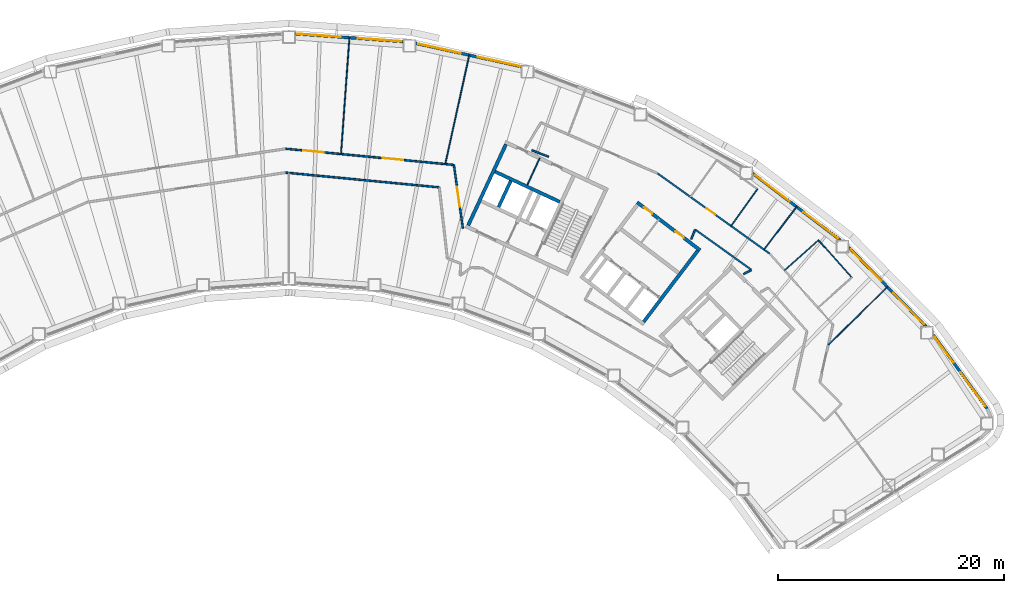
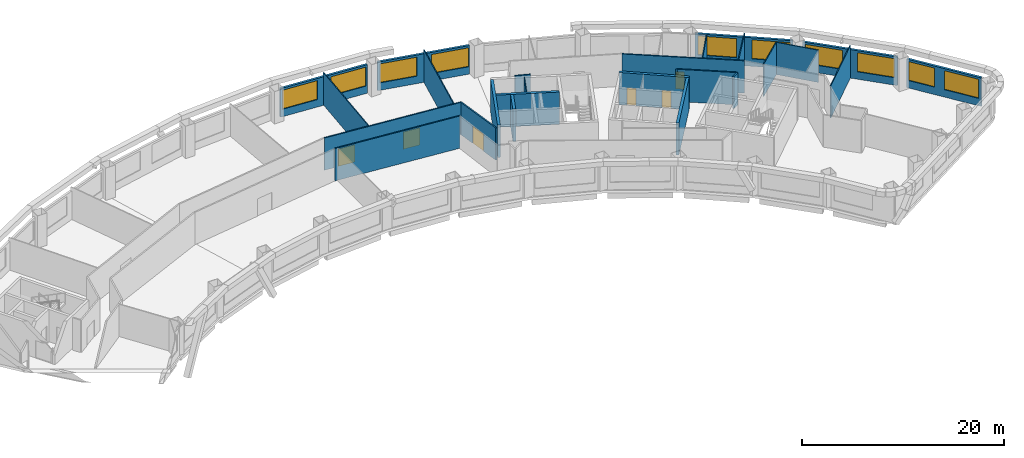
# One storey, part 7 of 13: 26 walls, 10 windows, 6 doors, 16 openings.
"""IFC4 building model written with IfcOpenShell, lengths in metres."""

from ifc_helpers import new_model, si_unit, direction, frame, frame_2d, origin, place, context, subcontext, project, spatial, rectangle, extrude, material, layer, layer_set, type_object, element, fill, save


model = new_model("IFC4")

# Units and contexts
model_context = context("Model", 3, precision=1e-05, world=origin(), true_north=direction((0.0, 1.0)))
body_context = subcontext(model_context, "Body", "Model", "MODEL_VIEW")
ifc_project = project(units=[si_unit("LENGTHUNIT", "METRE"), si_unit("AREAUNIT", "SQUARE_METRE"), si_unit("VOLUMEUNIT", "CUBIC_METRE"), si_unit("PLANEANGLEUNIT", "RADIAN"), si_unit("MASSUNIT", "GRAM", prefix="KILO")], contexts=[model_context])

# Site, building, storey
site_placement = place(None, origin())
site = spatial("IfcSite", under=ifc_project, at=site_placement, CompositionType="ELEMENT")
building_placement = place(site_placement, origin())
building = spatial("IfcBuilding", under=site, at=building_placement, Name="Tuul Gate Civic Tower", CompositionType="ELEMENT")
storey_placement = place(building_placement, frame((0.0, 0.0, 111.89990234375)))
storey = spatial("IfcBuildingStorey", under=building, at=storey_placement, Name="Level 25", CompositionType="ELEMENT", Elevation=111.89990234375)

# Walls
ifc_material_1 = material(Name="Concrete C50/60", Category="concrete")
ifc_layer_1 = layer(ifc_material_1, 0.300048828125)
ifc_layer_set_1 = layer_set([ifc_layer_1], Name="Concrete C50/60")
wall_type_1 = type_object("IfcWallType", Name="Core wall C50/60", PredefinedType="SHEAR", material=ifc_layer_set_1)
wall_1_placement = place(storey_placement, frame((33.75, -0.873779296875, 0.0), z_axis=(0.0, 0.0, 1.0), x_axis=(-0.906300917592, 0.422632992999, 0.0)))
element("IfcWall", 1, at=wall_1_placement, inside=storey, type_object=wall_type_1, Name="Core wall", PredefinedType="SHEAR", context=body_context, shape_type="SweptSolid", body=[
    extrude(rectangle(XDim=6.300048828125, YDim=0.300048828125, at=frame_2d((3.14990234375, 0.0))), origin(), (0.0, 0.0, 1.0), 3.900146484375),
])
wall_2_placement = place(storey_placement, frame((28.349365234375, -1.33447265625, 0.0), z_axis=(0.0, 0.0, 1.0), x_axis=(0.422612891016, 0.906310291427, 0.0)))
element("IfcWall", 2, at=wall_2_placement, inside=storey, type_object=wall_type_1, Name="Core wall", PredefinedType="SHEAR", context=body_context, shape_type="SweptSolid", body=[
    extrude(rectangle(XDim=2.550048828125, YDim=0.300048828125, at=frame_2d((1.27490234375, 0.0))), origin(), (0.0, 0.0, 1.0), 3.900146484375),
])
wall_3_placement = place(storey_placement, frame((25.66455078125, -2.951416015625, 0.0), z_axis=(0.0, 0.0, 1.0), x_axis=(0.422582604137, 0.906324413596, 0.0)))
element("IfcWall", 3, at=wall_3_placement, inside=storey, type_object=wall_type_1, Name="Core wall", PredefinedType="SHEAR", context=body_context, shape_type="SweptSolid", body=[
    extrude(rectangle(XDim=7.89990234375, YDim=0.300048828125, at=frame_2d((3.949951171875, 0.0))), origin(), (0.0, 0.0, 1.0), 3.900146484375),
])

# Wall, opening, door
ifc_material_2 = material(Name="Gypsum board partition")
ifc_layer_2 = layer(ifc_material_2, 0.14990234375)
ifc_layer_set_2 = layer_set([ifc_layer_2], Name="Gypsum board partition")
wall_type_2 = type_object("IfcWallType", Name="Corridor wall P150", PredefinedType="PARTITIONING", material=ifc_layer_set_2)
wall_4_placement = place(storey_placement, frame((42.385009765625, 1.646240234375, 0.0), z_axis=(0.0, 0.0, 1.0), x_axis=(0.813260638931, -0.581899590278, 0.0)))
wall_4 = element("IfcWall", 4, at=wall_4_placement, inside=storey, type_object=wall_type_2, Name="p010", PredefinedType="PARTITIONING", context=body_context, shape_type="SweptSolid", body=[
    extrude(rectangle(XDim=12.1826171875, YDim=0.14990234375, at=frame_2d((6.09130859375, 0.0))), origin(), (0.0, 0.0, 1.0), 3.900146484375),
])
opening_1_placement = place(wall_4_placement, frame((5.337646484375, 0.0, 0.0)))
opening_1 = element("IfcOpeningElement", 5, at=opening_1_placement, cuts=wall_4, Name="Opening H-D03", PredefinedType="OPENING", context=body_context, shape_type="SweptSolid", body=[
    extrude(rectangle(XDim=0.89990234375, YDim=2.10009765625, at=frame_2d((0.449951171875, 1.050048828125))), frame((0.0, 0.0849609375, 0.0), z_axis=(0.0, -1.0, 0.0), x_axis=(1.0, 0.0, 0.0)), (0.0, 0.0, 1.0), 0.169921875),
])
ifc_material_3 = material(Name="Timber door leaf", Category="wood")
door_type_1 = type_object("IfcDoorType", Name="Door D09", OperationType="NOTDEFINED", PredefinedType="DOOR", material=ifc_material_3)
door_1_placement = place(opening_1_placement, origin())
door_1 = element("IfcDoor", 6, at=door_1_placement, inside=storey, type_object=door_type_1, Name="Door H-D03", OperationType="SINGLE_SWING_RIGHT", OverallHeight=2.10009765625, OverallWidth=0.89990234375, PredefinedType="DOOR", context=body_context, shape_type="SweptSolid", body=[
    extrude(rectangle(XDim=0.89990234375, YDim=2.10009765625, at=frame_2d((0.449951171875, 1.050048828125))), frame((0.0, 0.02490234375, 0.0), z_axis=(0.0, -1.0, 0.0), x_axis=(1.0, 0.0, 0.0)), (0.0, 0.0, 1.0), 0.050048828125),
])
fill(opening_1, door_1)

# Wall
wall_5_placement = place(storey_placement, frame((31.287841796875, 3.683837890625, 0.0), z_axis=(0.0, 0.0, 1.0), x_axis=(0.933158919191, -0.359464089353, 0.0)))
element("IfcWall", 7, at=wall_5_placement, inside=storey, type_object=wall_type_2, Name="p017", PredefinedType="PARTITIONING", context=body_context, shape_type="SweptSolid", body=[
    extrude(rectangle(XDim=1.585205078125, YDim=0.14990234375, at=frame_2d((0.79248046875, 0.0))), origin(), (0.0, 0.0, 1.0), 3.900146484375),
])

# Wall, opening, door
wall_6_placement = place(storey_placement, frame((24.403564453125, 2.389404296875, 0.0), z_axis=(0.0, 0.0, 1.0), x_axis=(0.140745812343, -0.990045764754, 0.0)))
wall_6 = element("IfcWall", 8, at=wall_6_placement, inside=storey, type_object=wall_type_2, Name="p018", PredefinedType="PARTITIONING", context=body_context, shape_type="SweptSolid", body=[
    extrude(rectangle(XDim=5.6669921875, YDim=0.14990234375, at=frame_2d((2.83349609375, 0.0))), origin(), (0.0, 0.0, 1.0), 3.900146484375),
])
opening_2_placement = place(wall_6_placement, frame((1.93359375, 0.0, 0.0)))
opening_2 = element("IfcOpeningElement", 9, at=opening_2_placement, cuts=wall_6, Name="Opening H-D04", PredefinedType="OPENING", context=body_context, shape_type="SweptSolid", body=[
    extrude(rectangle(XDim=1.800048828125, YDim=2.10009765625, at=frame_2d((0.89990234375, 1.050048828125))), frame((0.0, 0.0849609375, 0.0), z_axis=(0.0, -1.0, 0.0), x_axis=(1.0, 0.0, 0.0)), (0.0, 0.0, 1.0), 0.169921875),
])
ifc_material_4 = material(Name="Timber door leaf, double", Category="wood")
door_type_2 = type_object("IfcDoorType", Name="Door D18", OperationType="DOUBLE_DOOR_SINGLE_SWING", PredefinedType="DOOR", material=ifc_material_4)
door_2_placement = place(opening_2_placement, origin())
door_2 = element("IfcDoor", 10, at=door_2_placement, inside=storey, type_object=door_type_2, Name="Door H-D04", OperationType="DOUBLE_DOOR_SINGLE_SWING", OverallHeight=2.10009765625, OverallWidth=1.800048828125, PredefinedType="DOOR", context=body_context, shape_type="SweptSolid", body=[
    extrude(rectangle(XDim=1.800048828125, YDim=2.10009765625, at=frame_2d((0.89990234375, 1.050048828125))), frame((0.0, 0.02490234375, 0.0), z_axis=(0.0, -1.0, 0.0), x_axis=(1.0, 0.0, 0.0)), (0.0, 0.0, 1.0), 0.050048828125),
])
fill(opening_2, door_2)

# Wall, openings, doors
wall_7_placement = place(storey_placement, frame((9.5673828125, 3.81640625, 0.0), z_axis=(0.0, 0.0, 1.0), x_axis=(0.995410259567, -0.095699608926, 0.0)))
wall_7 = element("IfcWall", 11, at=wall_7_placement, inside=storey, type_object=wall_type_2, Name="p019", PredefinedType="PARTITIONING", context=body_context, shape_type="SweptSolid", body=[
    extrude(rectangle(XDim=14.903564453125, YDim=0.14990234375, at=frame_2d((7.45166015625, 0.0))), origin(), (0.0, 0.0, 1.0), 3.900146484375),
])
opening_3_placement = place(wall_7_placement, frame((8.61328125, 0.0, 0.0)))
opening_3 = element("IfcOpeningElement", 12, at=opening_3_placement, cuts=wall_7, Name="Opening H-D05", PredefinedType="OPENING", context=body_context, shape_type="SweptSolid", body=[
    extrude(rectangle(XDim=1.800048828125, YDim=2.10009765625, at=frame_2d((0.89990234375, 1.050048828125))), frame((0.0, 0.0849609375, 0.0), z_axis=(0.0, -1.0, 0.0), x_axis=(1.0, 0.0, 0.0)), (0.0, 0.0, 1.0), 0.169921875),
])
opening_4_placement = place(wall_7_placement, frame((1.543701171875, 0.0, 0.0)))
opening_4 = element("IfcOpeningElement", 13, at=opening_4_placement, cuts=wall_7, Name="Opening H-D06", PredefinedType="OPENING", context=body_context, shape_type="SweptSolid", body=[
    extrude(rectangle(XDim=1.800048828125, YDim=2.10009765625, at=frame_2d((0.89990234375, 1.050048828125))), frame((0.0, 0.0849609375, 0.0), z_axis=(0.0, -1.0, 0.0), x_axis=(1.0, 0.0, 0.0)), (0.0, 0.0, 1.0), 0.169921875),
])
door_3_placement = place(opening_3_placement, origin())
door_3 = element("IfcDoor", 14, at=door_3_placement, inside=storey, type_object=door_type_2, Name="Door H-D05", OperationType="DOUBLE_DOOR_SINGLE_SWING", OverallHeight=2.10009765625, OverallWidth=1.800048828125, PredefinedType="DOOR", context=body_context, shape_type="SweptSolid", body=[
    extrude(rectangle(XDim=1.800048828125, YDim=2.10009765625, at=frame_2d((0.89990234375, 1.050048828125))), frame((0.0, 0.02490234375, 0.0), z_axis=(0.0, -1.0, 0.0), x_axis=(1.0, 0.0, 0.0)), (0.0, 0.0, 1.0), 0.050048828125),
])
fill(opening_3, door_3)
door_4_placement = place(opening_4_placement, origin())
door_4 = element("IfcDoor", 15, at=door_4_placement, inside=storey, type_object=door_type_2, Name="Door H-D06", OperationType="DOUBLE_DOOR_SINGLE_SWING", OverallHeight=2.10009765625, OverallWidth=1.800048828125, PredefinedType="DOOR", context=body_context, shape_type="SweptSolid", body=[
    extrude(rectangle(XDim=1.800048828125, YDim=2.10009765625, at=frame_2d((0.89990234375, 1.050048828125))), frame((0.0, 0.02490234375, 0.0), z_axis=(0.0, -1.0, 0.0), x_axis=(1.0, 0.0, 0.0)), (0.0, 0.0, 1.0), 0.050048828125),
])
fill(opening_4, door_4)

# Walls
wall_8_placement = place(storey_placement, frame((9.544921875, 1.708984375, 0.0), z_axis=(0.0, 0.0, 1.0), x_axis=(0.995409587422, -0.095706599925, 0.0)))
element("IfcWall", 16, at=wall_8_placement, inside=storey, type_object=wall_type_2, Name="p055", PredefinedType="PARTITIONING", context=body_context, shape_type="SweptSolid", body=[
    extrude(rectangle(XDim=13.619384765625, YDim=0.14990234375, at=frame_2d((6.8095703125, 0.0))), origin(), (0.0, 0.0, 1.0), 3.900146484375),
])
wall_9_placement = place(storey_placement, frame((45.3642578125, -4.169921875, 0.0), z_axis=(0.0, 0.0, 1.0), x_axis=(0.378664690995, 0.925533927954, 0.0)))
element("IfcWall", 17, at=wall_9_placement, inside=storey, type_object=wall_type_2, Name="p076", PredefinedType="PARTITIONING", context=body_context, shape_type="SweptSolid", body=[
    extrude(rectangle(XDim=0.8955078125, YDim=0.14990234375, at=frame_2d((0.44775390625, 0.0))), origin(), (0.0, 0.0, 1.0), 3.900146484375),
])
wall_10_placement = place(storey_placement, frame((45.73388671875, -3.332275390625, 0.0), z_axis=(0.0, 0.0, 1.0), x_axis=(0.813284299396, -0.581866521081, 0.0)))
element("IfcWall", 18, at=wall_10_placement, inside=storey, type_object=wall_type_2, Name="p077", PredefinedType="PARTITIONING", context=body_context, shape_type="SweptSolid", body=[
    extrude(rectangle(XDim=6.06298828125, YDim=0.14990234375, at=frame_2d((3.031494140625, 0.0))), origin(), (0.0, 0.0, 1.0), 3.900146484375),
])
wall_11_placement = place(storey_placement, frame((49.980224609375, -7.260986328125, 0.0), z_axis=(0.0, 0.0, 1.0), x_axis=(0.880996862328, 0.473122107461, 0.0)))
element("IfcWall", 19, at=wall_11_placement, inside=storey, type_object=wall_type_2, Name="p078", PredefinedType="PARTITIONING", context=body_context, shape_type="SweptSolid", body=[
    extrude(rectangle(XDim=0.774658203125, YDim=0.14990234375, at=frame_2d((0.38720703125, 0.0))), origin(), (0.0, 0.0, 1.0), 3.900146484375),
])

# Wall, openings, windows
ifc_material_5 = material(Name="Precast concrete C40/50", Category="concrete")
ifc_layer_3 = layer(ifc_material_5, 0.25)
ifc_layer_set_3 = layer_set([ifc_layer_3], Name="Precast concrete C40/50")
wall_type_3 = type_object("IfcWallType", Name="External wall", PredefinedType="STANDARD", material=ifc_layer_set_3)
wall_12_placement = place(storey_placement, frame((71.51806640625, -19.15869140625, 0.0), z_axis=(0.0, 0.0, 1.0), x_axis=(-0.589826474226, 0.807530018205, 0.0)))
wall_12 = element("IfcWall", 20, at=wall_12_placement, inside=storey, type_object=wall_type_3, Name="External wall", PredefinedType="STANDARD", context=body_context, shape_type="SweptSolid", body=[
    extrude(rectangle(XDim=8.082275390625, YDim=0.25, at=frame_2d((4.041015625, 0.0))), origin(), (0.0, 0.0, 1.0), 3.4501953125),
])
opening_5_placement = place(wall_12_placement, frame((0.30078125, 0.0, 0.89990234375)))
opening_5 = element("IfcOpeningElement", 21, at=opening_5_placement, cuts=wall_12, Name="Opening W21", PredefinedType="OPENING", context=body_context, shape_type="SweptSolid", body=[
    extrude(rectangle(XDim=3.699951171875, YDim=2.300048828125, at=frame_2d((1.85009765625, 1.14990234375))), frame((0.0, 0.135009765625, 0.0), z_axis=(0.0, -1.0, 0.0), x_axis=(1.0, 0.0, 0.0)), (0.0, 0.0, 1.0), 0.27001953125),
])
opening_6_placement = place(wall_12_placement, frame((5.052001953125, 0.0, 0.89990234375)))
opening_6 = element("IfcOpeningElement", 22, at=opening_6_placement, cuts=wall_12, Name="Opening W23", PredefinedType="OPENING", context=body_context, shape_type="SweptSolid", body=[
    extrude(rectangle(XDim=2.800048828125, YDim=2.300048828125, at=frame_2d((1.39990234375, 1.14990234375))), frame((0.0, 0.135009765625, 0.0), z_axis=(0.0, -1.0, 0.0), x_axis=(1.0, 0.0, 0.0)), (0.0, 0.0, 1.0), 0.27001953125),
])
ifc_material_6 = material(Name="Glass", Category="glass")
window_type_1 = type_object("IfcWindowType", Name="Window W21 3700 x 2300", PartitioningType="SINGLE_PANEL", PredefinedType="WINDOW", material=ifc_material_6)
window_1_placement = place(opening_5_placement, origin())
window_1 = element("IfcWindow", 23, at=window_1_placement, inside=storey, type_object=window_type_1, Name="Window", OverallHeight=2.300048828125, OverallWidth=3.699951171875, PartitioningType="SINGLE_PANEL", PredefinedType="WINDOW", context=body_context, shape_type="SweptSolid", body=[
    extrude(rectangle(XDim=3.699951171875, YDim=2.300048828125, at=frame_2d((1.85009765625, 1.14990234375))), frame((0.0, 0.030029296875, 0.0), z_axis=(0.0, -1.0, 0.0), x_axis=(1.0, 0.0, 0.0)), (0.0, 0.0, 1.0), 0.06005859375),
])
fill(opening_5, window_1)
ifc_material_7 = material(Name="Glass", Category="glass")
window_type_2 = type_object("IfcWindowType", Name="Window W23 2800 x 2300", PartitioningType="SINGLE_PANEL", PredefinedType="WINDOW", material=ifc_material_7)
window_2_placement = place(opening_6_placement, origin())
window_2 = element("IfcWindow", 24, at=window_2_placement, inside=storey, type_object=window_type_2, Name="Window", OverallHeight=2.300048828125, OverallWidth=2.800048828125, PartitioningType="SINGLE_PANEL", PredefinedType="WINDOW", context=body_context, shape_type="SweptSolid", body=[
    extrude(rectangle(XDim=2.800048828125, YDim=2.300048828125, at=frame_2d((1.39990234375, 1.14990234375))), frame((0.0, 0.030029296875, 0.0), z_axis=(0.0, -1.0, 0.0), x_axis=(1.0, 0.0, 0.0)), (0.0, 0.0, 1.0), 0.06005859375),
])
fill(opening_6, window_2)

wall_13_placement = place(storey_placement, frame((66.1162109375, -11.87890625, 0.0), z_axis=(0.0, 0.0, 1.0), x_axis=(-0.700013456131, 0.714129652959, 0.0)))
wall_13 = element("IfcWall", 25, at=wall_13_placement, inside=storey, type_object=wall_type_3, Name="External wall", PredefinedType="STANDARD", context=body_context, shape_type="SweptSolid", body=[
    extrude(rectangle(XDim=9.771728515625, YDim=0.25, at=frame_2d((4.8857421875, 0.0))), origin(), (0.0, 0.0, 1.0), 3.4501953125),
])
opening_7_placement = place(wall_13_placement, frame((0.275634765625, 0.0, 0.89990234375)))
opening_7 = element("IfcOpeningElement", 26, at=opening_7_placement, cuts=wall_13, Name="Opening W22", PredefinedType="OPENING", context=body_context, shape_type="SweptSolid", body=[
    extrude(rectangle(XDim=3.85009765625, YDim=2.300048828125, at=frame_2d((1.925048828125, 1.14990234375))), frame((0.0, 0.135009765625, 0.0), z_axis=(0.0, -1.0, 0.0), x_axis=(1.0, 0.0, 0.0)), (0.0, 0.0, 1.0), 0.27001953125),
])
opening_8_placement = place(wall_13_placement, frame((5.64697265625, 0.0, 0.89990234375)))
opening_8 = element("IfcOpeningElement", 27, at=opening_8_placement, cuts=wall_13, Name="Opening W22", PredefinedType="OPENING", context=body_context, shape_type="SweptSolid", body=[
    extrude(rectangle(XDim=3.85009765625, YDim=2.300048828125, at=frame_2d((1.925048828125, 1.14990234375))), frame((0.0, 0.135009765625, 0.0), z_axis=(0.0, -1.0, 0.0), x_axis=(1.0, 0.0, 0.0)), (0.0, 0.0, 1.0), 0.27001953125),
])
ifc_material_8 = material(Name="Glass", Category="glass")
window_type_3 = type_object("IfcWindowType", Name="Window W22 3850 x 2300", PartitioningType="SINGLE_PANEL", PredefinedType="WINDOW", material=ifc_material_8)
window_3_placement = place(opening_7_placement, origin())
window_3 = element("IfcWindow", 28, at=window_3_placement, inside=storey, type_object=window_type_3, Name="Window", OverallHeight=2.300048828125, OverallWidth=3.85009765625, PartitioningType="SINGLE_PANEL", PredefinedType="WINDOW", context=body_context, shape_type="SweptSolid", body=[
    extrude(rectangle(XDim=3.85009765625, YDim=2.300048828125, at=frame_2d((1.925048828125, 1.14990234375))), frame((0.0, 0.030029296875, 0.0), z_axis=(0.0, -1.0, 0.0), x_axis=(1.0, 0.0, 0.0)), (0.0, 0.0, 1.0), 0.06005859375),
])
fill(opening_7, window_3)
window_4_placement = place(opening_8_placement, origin())
window_4 = element("IfcWindow", 29, at=window_4_placement, inside=storey, type_object=window_type_3, Name="Window", OverallHeight=2.300048828125, OverallWidth=3.85009765625, PartitioningType="SINGLE_PANEL", PredefinedType="WINDOW", context=body_context, shape_type="SweptSolid", body=[
    extrude(rectangle(XDim=3.85009765625, YDim=2.300048828125, at=frame_2d((1.925048828125, 1.14990234375))), frame((0.0, 0.030029296875, 0.0), z_axis=(0.0, -1.0, 0.0), x_axis=(1.0, 0.0, 0.0)), (0.0, 0.0, 1.0), 0.06005859375),
])
fill(opening_8, window_4)

wall_14_placement = place(storey_placement, frame((58.540283203125, -4.25390625, 0.0), z_axis=(0.0, 0.0, 1.0), x_axis=(-0.795623043201, 0.605792021346, 0.0)))
wall_14 = element("IfcWall", 30, at=wall_14_placement, inside=storey, type_object=wall_type_3, Name="External wall", PredefinedType="STANDARD", context=body_context, shape_type="SweptSolid", body=[
    extrude(rectangle(XDim=9.75244140625, YDim=0.25, at=frame_2d((4.876220703125, 0.0))), origin(), (0.0, 0.0, 1.0), 3.4501953125),
])
opening_9_placement = place(wall_14_placement, frame((0.24658203125, 0.0, 0.89990234375)))
opening_9 = element("IfcOpeningElement", 31, at=opening_9_placement, cuts=wall_14, Name="Opening W22", PredefinedType="OPENING", context=body_context, shape_type="SweptSolid", body=[
    extrude(rectangle(XDim=3.85009765625, YDim=2.300048828125, at=frame_2d((1.925048828125, 1.14990234375))), frame((0.0, 0.135009765625, 0.0), z_axis=(0.0, -1.0, 0.0), x_axis=(1.0, 0.0, 0.0)), (0.0, 0.0, 1.0), 0.27001953125),
])
opening_10_placement = place(wall_14_placement, frame((5.617919921875, 0.0, 0.89990234375)))
opening_10 = element("IfcOpeningElement", 32, at=opening_10_placement, cuts=wall_14, Name="Opening W22", PredefinedType="OPENING", context=body_context, shape_type="SweptSolid", body=[
    extrude(rectangle(XDim=3.85009765625, YDim=2.300048828125, at=frame_2d((1.925048828125, 1.14990234375))), frame((0.0, 0.135009765625, 0.0), z_axis=(0.0, -1.0, 0.0), x_axis=(1.0, 0.0, 0.0)), (0.0, 0.0, 1.0), 0.27001953125),
])
window_5_placement = place(opening_9_placement, origin())
window_5 = element("IfcWindow", 33, at=window_5_placement, inside=storey, type_object=window_type_3, Name="Window", OverallHeight=2.300048828125, OverallWidth=3.85009765625, PartitioningType="SINGLE_PANEL", PredefinedType="WINDOW", context=body_context, shape_type="SweptSolid", body=[
    extrude(rectangle(XDim=3.85009765625, YDim=2.300048828125, at=frame_2d((1.925048828125, 1.14990234375))), frame((0.0, 0.030029296875, 0.0), z_axis=(0.0, -1.0, 0.0), x_axis=(1.0, 0.0, 0.0)), (0.0, 0.0, 1.0), 0.06005859375),
])
fill(opening_9, window_5)
window_6_placement = place(opening_10_placement, origin())
window_6 = element("IfcWindow", 34, at=window_6_placement, inside=storey, type_object=window_type_3, Name="Window", OverallHeight=2.300048828125, OverallWidth=3.85009765625, PartitioningType="SINGLE_PANEL", PredefinedType="WINDOW", context=body_context, shape_type="SweptSolid", body=[
    extrude(rectangle(XDim=3.85009765625, YDim=2.300048828125, at=frame_2d((1.925048828125, 1.14990234375))), frame((0.0, 0.030029296875, 0.0), z_axis=(0.0, -1.0, 0.0), x_axis=(1.0, 0.0, 0.0)), (0.0, 0.0, 1.0), 0.06005859375),
])
fill(opening_10, window_6)

wall_15_placement = place(storey_placement, frame((30.35498046875, 11.070556640625, 0.0), z_axis=(0.0, 0.0, 1.0), x_axis=(-0.976562109563, 0.215235792019, 0.0)))
wall_15 = element("IfcWall", 35, at=wall_15_placement, inside=storey, type_object=wall_type_3, Name="External wall", PredefinedType="STANDARD", context=body_context, shape_type="SweptSolid", body=[
    extrude(rectangle(XDim=9.55078125, YDim=0.25, at=frame_2d((4.775390625, 0.0))), origin(), (0.0, 0.0, 1.0), 3.4501953125),
])
opening_11_placement = place(wall_15_placement, frame((0.093017578125, 0.0, 0.89990234375)))
opening_11 = element("IfcOpeningElement", 36, at=opening_11_placement, cuts=wall_15, Name="Opening W22", PredefinedType="OPENING", context=body_context, shape_type="SweptSolid", body=[
    extrude(rectangle(XDim=3.85009765625, YDim=2.300048828125, at=frame_2d((1.925048828125, 1.14990234375))), frame((0.0, 0.135009765625, 0.0), z_axis=(0.0, -1.0, 0.0), x_axis=(1.0, 0.0, 0.0)), (0.0, 0.0, 1.0), 0.27001953125),
])
opening_12_placement = place(wall_15_placement, frame((5.46435546875, 0.0, 0.89990234375)))
opening_12 = element("IfcOpeningElement", 37, at=opening_12_placement, cuts=wall_15, Name="Opening W22", PredefinedType="OPENING", context=body_context, shape_type="SweptSolid", body=[
    extrude(rectangle(XDim=3.85009765625, YDim=2.300048828125, at=frame_2d((1.925048828125, 1.14990234375))), frame((0.0, 0.135009765625, 0.0), z_axis=(0.0, -1.0, 0.0), x_axis=(1.0, 0.0, 0.0)), (0.0, 0.0, 1.0), 0.27001953125),
])
window_7_placement = place(opening_11_placement, origin())
window_7 = element("IfcWindow", 38, at=window_7_placement, inside=storey, type_object=window_type_3, Name="Window", OverallHeight=2.300048828125, OverallWidth=3.85009765625, PartitioningType="SINGLE_PANEL", PredefinedType="WINDOW", context=body_context, shape_type="SweptSolid", body=[
    extrude(rectangle(XDim=3.85009765625, YDim=2.300048828125, at=frame_2d((1.925048828125, 1.14990234375))), frame((0.0, 0.030029296875, 0.0), z_axis=(0.0, -1.0, 0.0), x_axis=(1.0, 0.0, 0.0)), (0.0, 0.0, 1.0), 0.06005859375),
])
fill(opening_11, window_7)
window_8_placement = place(opening_12_placement, origin())
window_8 = element("IfcWindow", 39, at=window_8_placement, inside=storey, type_object=window_type_3, Name="Window", OverallHeight=2.300048828125, OverallWidth=3.85009765625, PartitioningType="SINGLE_PANEL", PredefinedType="WINDOW", context=body_context, shape_type="SweptSolid", body=[
    extrude(rectangle(XDim=3.85009765625, YDim=2.300048828125, at=frame_2d((1.925048828125, 1.14990234375))), frame((0.0, 0.030029296875, 0.0), z_axis=(0.0, -1.0, 0.0), x_axis=(1.0, 0.0, 0.0)), (0.0, 0.0, 1.0), 0.06005859375),
])
fill(opening_12, window_8)

wall_16_placement = place(storey_placement, frame((19.927978515625, 13.2802734375, 0.0), z_axis=(0.0, 0.0, 1.0), x_axis=(-0.997379785239, 0.072343375623, 0.0)))
wall_16 = element("IfcWall", 40, at=wall_16_placement, inside=storey, type_object=wall_type_3, Name="External wall", PredefinedType="STANDARD", context=body_context, shape_type="SweptSolid", body=[
    extrude(rectangle(XDim=9.57421875, YDim=0.25, at=frame_2d((4.787109375, 0.0))), origin(), (0.0, 0.0, 1.0), 3.4501953125),
])
opening_13_placement = place(wall_16_placement, frame((0.153076171875, 0.0, 0.89990234375)))
opening_13 = element("IfcOpeningElement", 41, at=opening_13_placement, cuts=wall_16, Name="Opening W22", PredefinedType="OPENING", context=body_context, shape_type="SweptSolid", body=[
    extrude(rectangle(XDim=3.85009765625, YDim=2.300048828125, at=frame_2d((1.925048828125, 1.14990234375))), frame((0.0, 0.135009765625, 0.0), z_axis=(0.0, -1.0, 0.0), x_axis=(1.0, 0.0, 0.0)), (0.0, 0.0, 1.0), 0.27001953125),
])
opening_14_placement = place(wall_16_placement, frame((5.524169921875, 0.0, 0.89990234375)))
opening_14 = element("IfcOpeningElement", 42, at=opening_14_placement, cuts=wall_16, Name="Opening W22", PredefinedType="OPENING", context=body_context, shape_type="SweptSolid", body=[
    extrude(rectangle(XDim=3.85009765625, YDim=2.300048828125, at=frame_2d((1.925048828125, 1.14990234375))), frame((0.0, 0.135009765625, 0.0), z_axis=(0.0, -1.0, 0.0), x_axis=(1.0, 0.0, 0.0)), (0.0, 0.0, 1.0), 0.27001953125),
])
window_9_placement = place(opening_13_placement, origin())
window_9 = element("IfcWindow", 43, at=window_9_placement, inside=storey, type_object=window_type_3, Name="Window", OverallHeight=2.300048828125, OverallWidth=3.85009765625, PartitioningType="SINGLE_PANEL", PredefinedType="WINDOW", context=body_context, shape_type="SweptSolid", body=[
    extrude(rectangle(XDim=3.85009765625, YDim=2.300048828125, at=frame_2d((1.925048828125, 1.14990234375))), frame((0.0, 0.030029296875, 0.0), z_axis=(0.0, -1.0, 0.0), x_axis=(1.0, 0.0, 0.0)), (0.0, 0.0, 1.0), 0.06005859375),
])
fill(opening_13, window_9)
window_10_placement = place(opening_14_placement, origin())
window_10 = element("IfcWindow", 44, at=window_10_placement, inside=storey, type_object=window_type_3, Name="Window", OverallHeight=2.300048828125, OverallWidth=3.85009765625, PartitioningType="SINGLE_PANEL", PredefinedType="WINDOW", context=body_context, shape_type="SweptSolid", body=[
    extrude(rectangle(XDim=3.85009765625, YDim=2.300048828125, at=frame_2d((1.925048828125, 1.14990234375))), frame((0.0, 0.030029296875, 0.0), z_axis=(0.0, -1.0, 0.0), x_axis=(1.0, 0.0, 0.0)), (0.0, 0.0, 1.0), 0.06005859375),
])
fill(opening_14, window_10)

# Wall, openings, doors
ifc_material_9 = material(Name="Concrete C40/50", Category="concrete")
ifc_layer_4 = layer(ifc_material_9, 0.300048828125)
ifc_layer_set_4 = layer_set([ifc_layer_4], Name="Concrete C40/50")
wall_type_4 = type_object("IfcWallType", Name="Lift shaft wall C40/50", PredefinedType="STANDARD", material=ifc_layer_set_4)
wall_17_placement = place(storey_placement, frame((46.1591796875, -5.1533203125, 0.0), z_axis=(0.0, 0.0, 1.0), x_axis=(-0.795579811045, 0.605848796531, 0.0)))
wall_17 = element("IfcWall", 45, at=wall_17_placement, inside=storey, type_object=wall_type_4, Name="Shaft wall", PredefinedType="STANDARD", context=body_context, shape_type="SweptSolid", body=[
    extrude(rectangle(XDim=7.0, YDim=0.300048828125, at=frame_2d((3.5, 0.0))), origin(), (0.0, 0.0, 1.0), 3.900146484375),
])
opening_15_placement = place(wall_17_placement, frame((1.824951171875, 0.0, 0.0)))
opening_15 = element("IfcOpeningElement", 46, at=opening_15_placement, cuts=wall_17, Name="Opening H-D19", PredefinedType="OPENING", context=body_context, shape_type="SweptSolid", body=[
    extrude(rectangle(XDim=0.89990234375, YDim=2.10009765625, at=frame_2d((0.449951171875, 1.050048828125))), frame((0.0, 0.16015625, 0.0), z_axis=(0.0, -1.0, 0.0), x_axis=(1.0, 0.0, 0.0)), (0.0, 0.0, 1.0), 0.320068359375),
])
opening_16_placement = place(wall_17_placement, frame((5.324951171875, 0.0, 0.0)))
opening_16 = element("IfcOpeningElement", 47, at=opening_16_placement, cuts=wall_17, Name="Opening H-D20", PredefinedType="OPENING", context=body_context, shape_type="SweptSolid", body=[
    extrude(rectangle(XDim=0.89990234375, YDim=2.10009765625, at=frame_2d((0.449951171875, 1.050048828125))), frame((0.0, 0.16015625, 0.0), z_axis=(0.0, -1.0, 0.0), x_axis=(1.0, 0.0, 0.0)), (0.0, 0.0, 1.0), 0.320068359375),
])
door_5_placement = place(opening_15_placement, origin())
door_5 = element("IfcDoor", 48, at=door_5_placement, inside=storey, type_object=door_type_1, Name="Door H-D19", OperationType="SINGLE_SWING_LEFT", OverallHeight=2.10009765625, OverallWidth=0.89990234375, PredefinedType="DOOR", context=body_context, shape_type="SweptSolid", body=[
    extrude(rectangle(XDim=0.89990234375, YDim=2.10009765625, at=frame_2d((0.449951171875, 1.050048828125))), frame((0.0, 0.02490234375, 0.0), z_axis=(0.0, -1.0, 0.0), x_axis=(1.0, 0.0, 0.0)), (0.0, 0.0, 1.0), 0.050048828125),
])
fill(opening_15, door_5)
door_6_placement = place(opening_16_placement, origin())
door_6 = element("IfcDoor", 49, at=door_6_placement, inside=storey, type_object=door_type_1, Name="Door H-D20", OperationType="SINGLE_SWING_RIGHT", OverallHeight=2.10009765625, OverallWidth=0.89990234375, PredefinedType="DOOR", context=body_context, shape_type="SweptSolid", body=[
    extrude(rectangle(XDim=0.89990234375, YDim=2.10009765625, at=frame_2d((0.449951171875, 1.050048828125))), frame((0.0, 0.02490234375, 0.0), z_axis=(0.0, -1.0, 0.0), x_axis=(1.0, 0.0, 0.0)), (0.0, 0.0, 1.0), 0.050048828125),
])
fill(opening_16, door_6)

# Walls
wall_18_placement = place(storey_placement, frame((41.163330078125, -11.46728515625, 0.0), z_axis=(0.0, 0.0, 1.0), x_axis=(0.605784332699, 0.795628897324, 0.0)))
element("IfcWall", 50, at=wall_18_placement, inside=storey, type_object=wall_type_4, Name="Shaft wall", PredefinedType="STANDARD", context=body_context, shape_type="SweptSolid", body=[
    extrude(rectangle(XDim=7.89990234375, YDim=0.300048828125, at=frame_2d((3.949951171875, 0.0))), origin(), (0.0, 0.0, 1.0), 3.900146484375),
])
ifc_material_10 = material(Name="Gypsum board partition")
ifc_layer_5 = layer(ifc_material_10, 0.10009765625)
ifc_layer_set_5 = layer_set([ifc_layer_5], Name="Gypsum board partition")
wall_type_5 = type_object("IfcWallType", Name="Partition P100", PredefinedType="PARTITIONING", material=ifc_layer_set_5)
wall_19_placement = place(storey_placement, frame((57.474853515625, -13.507080078125, 0.0), z_axis=(0.0, 0.0, 1.0), x_axis=(0.714129754516, 0.700013352527, 0.0)))
element("IfcWall", 51, at=wall_19_placement, inside=storey, type_object=wall_type_5, Name="p005", PredefinedType="PARTITIONING", context=body_context, shape_type="SweptSolid", body=[
    extrude(rectangle(XDim=7.315673828125, YDim=0.10009765625, at=frame_2d((3.65771484375, 0.0))), origin(), (0.0, 0.0, 1.0), 3.900146484375),
])
wall_20_placement = place(storey_placement, frame((53.616455078125, -6.926513671875, 0.0), z_axis=(0.0, 0.0, 1.0), x_axis=(0.746118035581, 0.665813695399, 0.0)))
element("IfcWall", 52, at=wall_20_placement, inside=storey, type_object=wall_type_5, Name="p007", PredefinedType="PARTITIONING", context=body_context, shape_type="SweptSolid", body=[
    extrude(rectangle(XDim=4.010009765625, YDim=0.10009765625, at=frame_2d((2.0048828125, 0.0))), origin(), (0.0, 0.0, 1.0), 3.900146484375),
])
wall_21_placement = place(storey_placement, frame((56.6083984375, -4.256591796875, 0.0), z_axis=(0.0, 0.0, 1.0), x_axis=(0.665781945769, -0.746146366799, 0.0)))
element("IfcWall", 53, at=wall_21_placement, inside=storey, type_object=wall_type_5, Name="p008", PredefinedType="PARTITIONING", context=body_context, shape_type="SweptSolid", body=[
    extrude(rectangle(XDim=4.420166015625, YDim=0.10009765625, at=frame_2d((2.2099609375, 0.0))), origin(), (0.0, 0.0, 1.0), 3.900146484375),
])
wall_22_placement = place(storey_placement, frame((48.88916015625, -3.007568359375, 0.0), z_axis=(0.0, 0.0, 1.0), x_axis=(0.58190604967, 0.813256017105, 0.0)))
element("IfcWall", 54, at=wall_22_placement, inside=storey, type_object=wall_type_5, Name="p013", PredefinedType="PARTITIONING", context=body_context, shape_type="SweptSolid", body=[
    extrude(rectangle(XDim=4.010009765625, YDim=0.10009765625, at=frame_2d((2.0048828125, 0.0))), origin(), (0.0, 0.0, 1.0), 3.900146484375),
])
wall_23_placement = place(storey_placement, frame((23.6416015625, 2.46337890625, 0.0), z_axis=(0.0, 0.0, 1.0), x_axis=(0.215219975955, 0.976565595314, 0.0)))
element("IfcWall", 55, at=wall_23_placement, inside=storey, type_object=wall_type_5, Name="p014", PredefinedType="PARTITIONING", context=body_context, shape_type="SweptSolid", body=[
    extrude(rectangle(XDim=9.85546875, YDim=0.10009765625, at=frame_2d((4.927734375, 0.0))), origin(), (0.0, 0.0, 1.0), 3.900146484375),
])
wall_24_placement = place(storey_placement, frame((14.4326171875, 3.348876953125, 0.0), z_axis=(0.0, 0.0, 1.0), x_axis=(0.072261967896, 0.997385686681, 0.0)))
element("IfcWall", 56, at=wall_24_placement, inside=storey, type_object=wall_type_5, Name="p021", PredefinedType="PARTITIONING", context=body_context, shape_type="SweptSolid", body=[
    extrude(rectangle(XDim=10.307861328125, YDim=0.10009765625, at=frame_2d((5.15380859375, 0.0))), origin(), (0.0, 0.0, 1.0), 3.900146484375),
])
wall_25_placement = place(storey_placement, frame((51.799072265625, -5.089599609375, 0.0), z_axis=(0.0, 0.0, 1.0), x_axis=(0.60582655805, 0.79559674557, 0.0)))
element("IfcWall", 57, at=wall_25_placement, inside=storey, type_object=wall_type_5, Name="p079", PredefinedType="PARTITIONING", context=body_context, shape_type="SweptSolid", body=[
    extrude(rectangle(XDim=4.753662109375, YDim=0.10009765625, at=frame_2d((2.376953125, 0.0))), origin(), (0.0, 0.0, 1.0), 3.900146484375),
])
wall_26_placement = place(storey_placement, frame((30.890380859375, 0.625, 0.0), z_axis=(0.0, 0.0, 1.0), x_axis=(0.422597606916, 0.906317418253, 0.0)))
element("IfcWall", 58, at=wall_26_placement, inside=storey, type_object=wall_type_5, Name="bE3-BAND-0", PredefinedType="PARTITIONING", context=body_context, shape_type="SweptSolid", body=[
    extrude(rectangle(XDim=2.600341796875, YDim=0.10009765625, at=frame_2d((1.30029296875, 0.0))), origin(), (0.0, 0.0, 1.0), 3.900146484375),
])

save(model, "model.ifc")
